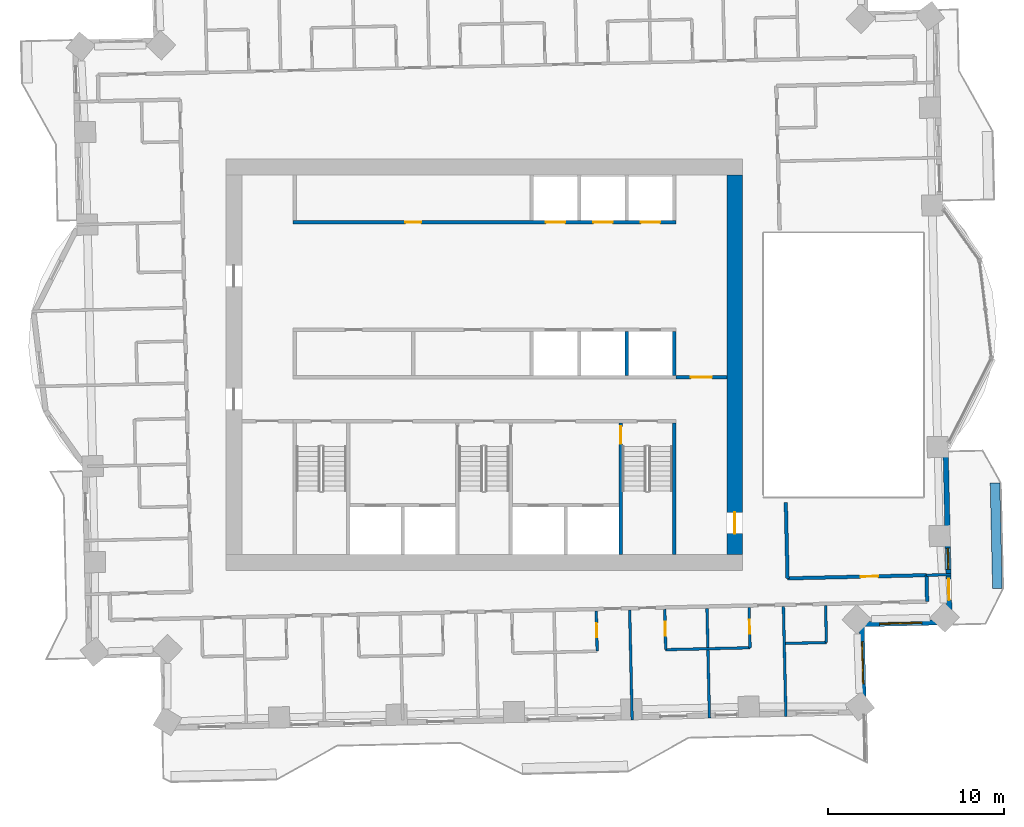
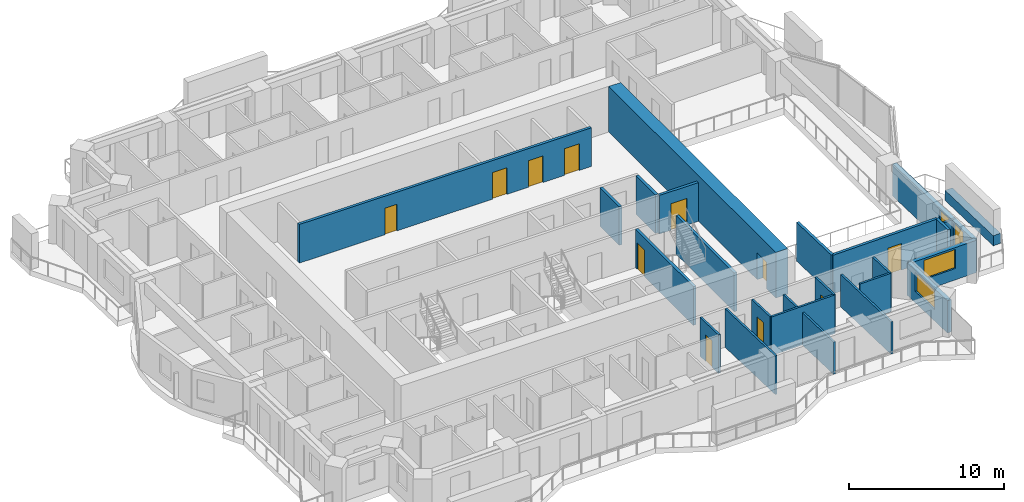
# One storey, part 9 of 16: 24 walls, 12 doors, 3 windows, 15 openings.
"""IFC4 building model written with IfcOpenShell, lengths in metres."""

import ifcopenshell
import ifcopenshell.guid

model = None  # the IFC model being written
_history = None  # IfcOwnerHistory: only IFC2X3 demands one
_inside = {}  # id of a spatial element -> (the spatial element, [elements in it])
_under = {}  # id of a project, library or spatial element -> (it, [spatial elements below it])
_declared = {}  # id of a project -> (the project, [libraries it declares])
_typed = {}  # id of a type object -> (the type object, [elements of that type])
_made_of = {}  # id of a material, layer set ... -> (it, [elements and type objects made of it])


def new_model(schema):
    """Start an empty IFC model of exactly this schema.

    Asked for "IFC4X3", IfcOpenShell would pick the latest addendum, in which some entities
    have other attributes; the version numbers below select the first issue.
    IFC2X3 requires an IfcOwnerHistory on every rooted entity: one is made here for all.
    """
    global model, _history
    if schema == "IFC4X3":
        model = ifcopenshell.file(schema_version=(4, 3, 0, 0))
    else:
        model = ifcopenshell.file(schema=schema)
    _inside.clear()
    _under.clear()
    _declared.clear()
    _typed.clear()
    _made_of.clear()
    _history = None
    if model.schema == "IFC2X3":
        org = make("IfcOrganization", Name="unknown")
        user = make(
            "IfcPersonAndOrganization",
            ThePerson=make("IfcPerson", FamilyName="unknown"),
            TheOrganization=org,
        )
        app = make(
            "IfcApplication",
            ApplicationDeveloper=org,
            Version="unknown",
            ApplicationFullName="unknown",
            ApplicationIdentifier="unknown",
        )
        _history = make(
            "IfcOwnerHistory",
            OwningUser=user,
            OwningApplication=app,
            ChangeAction="ADDED",
            CreationDate=0,
        )
    return model


def make(cls, **values):
    """One entity of the class cls with the attributes given. An attribute that is None is left unset."""
    return model.create_entity(
        cls, **{name: value for name, value in values.items() if value is not None}
    )


def rooted(cls, **values):
    """An entity with a GlobalId (a new one), such as an element, a storey or a relation."""
    return make(cls, GlobalId=ifcopenshell.guid.new(), OwnerHistory=_history, **values)


def si_unit(unit_type, name, prefix=None):
    """IfcSIUnit, for example si_unit("LENGTHUNIT", "METRE", prefix="MILLI")."""
    return make("IfcSIUnit", UnitType=unit_type, Prefix=prefix, Name=name)


def assignment(units):
    """IfcUnitAssignment: the units of a project."""
    return None if units is None else make("IfcUnitAssignment", Units=units)


def point(xyz):
    """IfcCartesianPoint."""
    return None if xyz is None else make("IfcCartesianPoint", Coordinates=xyz)


def direction(xyz):
    """IfcDirection."""
    return None if xyz is None else make("IfcDirection", DirectionRatios=xyz)


def frame(location, z_axis=None, x_axis=None):
    """IfcAxis2Placement3D, a coordinate frame: its origin and axes. An axis left out is left unset."""
    return make(
        "IfcAxis2Placement3D",
        Location=point(location),
        Axis=direction(z_axis),
        RefDirection=direction(x_axis),
    )


def frame_2d(location, x_axis=None):
    """IfcAxis2Placement2D, a coordinate frame in the plane: its origin and x axis."""
    return make(
        "IfcAxis2Placement2D", Location=point(location), RefDirection=direction(x_axis)
    )


def origin():
    """The frame at (0, 0, 0) with its axes left unset."""
    return frame((0.0, 0.0, 0.0))


def place(relative_to, where):
    """IfcLocalPlacement: puts the frame where relative to a parent placement (None: the world)."""
    return make(
        "IfcLocalPlacement", PlacementRelTo=relative_to, RelativePlacement=where
    )


def context(
    kind, dimensions, precision=None, world=None, true_north=None, identifier=None
):
    """IfcGeometricRepresentationContext, for example the 3D "Model" context."""
    return make(
        "IfcGeometricRepresentationContext",
        ContextIdentifier=identifier,
        ContextType=kind,
        CoordinateSpaceDimension=dimensions,
        Precision=precision,
        WorldCoordinateSystem=world,
        TrueNorth=true_north,
    )


def subcontext(parent, identifier, kind, view, scale=None):
    """IfcGeometricRepresentationSubContext, for example "Body" below "Model"."""
    return make(
        "IfcGeometricRepresentationSubContext",
        ContextIdentifier=identifier,
        ContextType=kind,
        ParentContext=parent,
        TargetScale=scale,
        TargetView=view,
    )


def project(units=None, contexts=None):
    """IfcProject with its units and contexts."""
    return rooted(
        "IfcProject",
        Name="project",
        RepresentationContexts=contexts,
        UnitsInContext=assignment(units),
    )


def spatial(cls, under=None, at=None, **own):
    """A site, building, storey or space (cls), placed at a placement, below another one or the project."""
    s = rooted(cls, ObjectPlacement=at, **own)
    if under is not None:
        _under.setdefault(under.id(), (under, []))[1].append(s)
    return s


def profile(cls, at=None, kind="AREA", **sizes):
    """A parametric profile (cls). Its sizes go by their IFC names, for example OverallWidth=200.0."""
    return make(cls, ProfileType=kind, Position=at, **sizes)


def rectangle(**sizes):
    """IfcRectangleProfileDef."""
    return profile("IfcRectangleProfileDef", **sizes)


def extrude(swept, where, along, depth):
    """IfcExtrudedAreaSolid: the profile swept, set in the frame where, extruded along a direction by depth."""
    return make(
        "IfcExtrudedAreaSolid",
        SweptArea=swept,
        Position=where,
        ExtrudedDirection=direction(along),
        Depth=depth,
    )


def shape(context_of_items, identifier, shape_type, items):
    """IfcShapeRepresentation: the items that make up one representation, for example the "Body"."""
    return make(
        "IfcShapeRepresentation",
        ContextOfItems=context_of_items,
        RepresentationIdentifier=identifier,
        RepresentationType=shape_type,
        Items=items,
    )


def material(Name=None, Category=None):
    """IfcMaterial."""
    return make("IfcMaterial", Name=Name, Category=Category)


def layer(
    of_material, thickness, ventilated=None, Name=None, Category=None, Priority=None
):
    """IfcMaterialLayer: one layer of a wall or slab, of a material (None: an air gap)."""
    return make(
        "IfcMaterialLayer",
        Material=of_material,
        LayerThickness=thickness,
        IsVentilated=ventilated,
        Name=Name,
        Category=Category,
        Priority=Priority,
    )


def layer_set(layers, Name=None):
    """IfcMaterialLayerSet."""
    return make("IfcMaterialLayerSet", MaterialLayers=layers, LayerSetName=Name)


def made_of(thing, what):
    """Note that an element or type object is made of a material, layer set ...; save() writes the relation."""
    if what is not None:
        _made_of.setdefault(what.id(), (what, []))[1].append(thing)
    return thing


def type_object(cls, material=None, **own):
    """A type object (cls), such as IfcWallType, which elements share."""
    return made_of(rooted(cls, **own), material)


def element(
    cls,
    number,
    at=None,
    inside=None,
    cuts=None,
    type_object=None,
    material=None,
    context=None,
    identifier="Body",
    shape_type=None,
    held_by="IfcProductDefinitionShape",
    body=None,
    shapes=None,
    **own,
):
    """One element of the class cls, such as IfcWall. Its Tag is "e" and its number.

    at: its placement. inside: the storey or other place that contains it. cuts: it is an
    opening in that element (IfcRelVoidsElement). A single representation is given by context,
    identifier, shape_type and body (its items); several are given by shapes. held_by: the class
    of the entity that holds the representations. save() writes the other relations.
    """
    e = rooted(cls, Tag="e%d" % number, ObjectPlacement=at, **own)
    if body is not None:
        shapes = [shape(context, identifier, shape_type, body)]
    if shapes is not None:
        e.Representation = make(held_by, Representations=shapes)
    if inside is not None:
        _inside.setdefault(inside.id(), (inside, []))[1].append(e)
    if cuts is not None:
        rooted(
            "IfcRelVoidsElement", RelatingBuildingElement=cuts, RelatedOpeningElement=e
        )
    if type_object is not None:
        _typed.setdefault(type_object.id(), (type_object, []))[1].append(e)
    return made_of(e, material)


def fill(opening, filler):
    """IfcRelFillsElement: the door or window that sits in an opening."""
    return rooted(
        "IfcRelFillsElement",
        RelatingOpeningElement=opening,
        RelatedBuildingElement=filler,
    )


def aggregate(whole, parts):
    """IfcRelAggregates: a whole, such as a stair, and the parts it consists of."""
    return rooted("IfcRelAggregates", RelatingObject=whole, RelatedObjects=parts)


def save(model, path):
    """Write the relations noted so far, then the file.

    IfcRelAggregates (storeys below a building ...), IfcRelContainedInSpatialStructure (elements
    in a storey), IfcRelDefinesByType, IfcRelAssociatesMaterial and IfcRelDeclares: one each for
    every whole, place, type object, material and project.
    """
    for whole, parts in _under.values():
        aggregate(whole, parts)
    for where, things in _inside.values():
        rooted(
            "IfcRelContainedInSpatialStructure",
            RelatedElements=things,
            RelatingStructure=where,
        )
    for kind, things in _typed.values():
        rooted("IfcRelDefinesByType", RelatedObjects=things, RelatingType=kind)
    for what, things in _made_of.values():
        rooted("IfcRelAssociatesMaterial", RelatedObjects=things, RelatingMaterial=what)
    for by, libraries in _declared.values():
        rooted("IfcRelDeclares", RelatingContext=by, RelatedDefinitions=libraries)
    model.write(path)


model = new_model("IFC4")

# Units and contexts
model_context = context("Model", 3, precision=1e-05, world=origin(), true_north=direction((0.0, 1.0)))
body_context = subcontext(model_context, "Body", "Model", "MODEL_VIEW")
ifc_project = project(units=[si_unit("LENGTHUNIT", "METRE"), si_unit("AREAUNIT", "SQUARE_METRE"), si_unit("VOLUMEUNIT", "CUBIC_METRE"), si_unit("PLANEANGLEUNIT", "RADIAN"), si_unit("MASSUNIT", "GRAM", prefix="KILO")], contexts=[model_context])

# Site, building, storey
site_placement = place(None, origin())
site = spatial("IfcSite", under=ifc_project, at=site_placement, CompositionType="ELEMENT")
building_placement = place(site_placement, origin())
building = spatial("IfcBuilding", under=site, at=building_placement, Name="Mangrove Gate Tower", CompositionType="ELEMENT")
storey_placement = place(building_placement, frame((0.0, 0.0, 189.699951171875)))
storey = spatial("IfcBuildingStorey", under=building, at=storey_placement, Name="L48", CompositionType="ELEMENT", Elevation=189.699951171875)

# Wall, opening, door
ifc_material_1 = material(Name="Concrete C32/40", Category="concrete")
ifc_layer_1 = layer(ifc_material_1, 0.199951171875)
ifc_layer_set_1 = layer_set([ifc_layer_1], Name="Core lobby wall 200 C32/40")
wall_type_1 = type_object("IfcWallType", Name="Core lobby wall 200 C32/40", PredefinedType="STANDARD", material=ifc_layer_set_1)
wall_1_placement = place(storey_placement, frame((10.89990234375, -0.699951171875, 0.0), z_axis=(0.0, 0.0, 1.0), x_axis=(1.0, 0.0, 0.0)))
wall_1 = element("IfcWall", 1, at=wall_1_placement, inside=storey, type_object=wall_type_1, Name="WALL-L48-CORE-31", PredefinedType="STANDARD", context=body_context, shape_type="SweptSolid", body=[
    extrude(rectangle(XDim=2.900146484375, YDim=0.199951171875, at=frame_2d((1.4501953125, 0.0))), origin(), (0.0, 0.0, 1.0), 3.050048828125),
])
opening_1_placement = place(wall_1_placement, frame((0.85009765625, 0.0, 0.0)))
opening_1 = element("IfcOpeningElement", 2, at=opening_1_placement, cuts=wall_1, Name="Opening FL12", PredefinedType="OPENING", context=body_context, shape_type="SweptSolid", body=[
    extrude(rectangle(XDim=1.199951171875, YDim=2.10009765625, at=frame_2d((0.60009765625, 1.050048828125))), frame((0.0, 0.10986328125, 0.0), z_axis=(0.0, -1.0, 0.0), x_axis=(1.0, 0.0, 0.0)), (0.0, 0.0, 1.0), 0.219970703125),
])
ifc_material_2 = material(Name="Fire-rated steel door set", Category="steel")
door_type_1 = type_object("IfcDoorType", Name="Lobby door FD60 1200x2100", OperationType="SINGLE_SWING_LEFT", PredefinedType="DOOR", material=ifc_material_2)
door_1_placement = place(opening_1_placement, origin())
door_1 = element("IfcDoor", 3, at=door_1_placement, inside=storey, type_object=door_type_1, Name="Lobby door core corridor E partition", OperationType="SINGLE_SWING_LEFT", OverallHeight=2.10009765625, OverallWidth=1.199951171875, PredefinedType="DOOR", context=body_context, shape_type="SweptSolid", body=[
    extrude(rectangle(XDim=1.199951171875, YDim=2.10009765625, at=frame_2d((0.60009765625, 1.050048828125))), frame((0.0, 0.02490234375, 0.0), z_axis=(0.0, -1.0, 0.0), x_axis=(1.0, 0.0, 0.0)), (0.0, 0.0, 1.0), 0.050048828125),
])
fill(opening_1, door_1)

# Wall, openings, doors
ifc_material_3 = material(Name="Concrete C60/75", Category="concrete")
ifc_layer_2 = layer(ifc_material_3, 0.199951171875)
ifc_layer_set_2 = layer_set([ifc_layer_2], Name="Core shaft wall 200 C60/75")
wall_type_2 = type_object("IfcWallType", Name="Core shaft wall 200 C60/75", PredefinedType="SHEAR", material=ifc_layer_set_2)
wall_2_placement = place(storey_placement, frame((-10.89990234375, 8.10009765625, 0.0), z_axis=(0.0, 0.0, 1.0), x_axis=(1.0, 0.0, 0.0)))
wall_2 = element("IfcWall", 4, at=wall_2_placement, inside=storey, type_object=wall_type_2, Name="WALL-L48-CORE-8", PredefinedType="SHEAR", context=body_context, shape_type="SweptSolid", body=[
    extrude(rectangle(XDim=21.7998046875, YDim=0.199951171875, at=frame_2d((10.89990234375, 0.0))), origin(), (0.0, 0.0, 1.0), 3.050048828125),
])
opening_2_placement = place(wall_2_placement, frame((14.39990234375, 0.0, 0.0)))
opening_2 = element("IfcOpeningElement", 5, at=opening_2_placement, cuts=wall_2, Name="Opening LD", PredefinedType="OPENING", context=body_context, shape_type="SweptSolid", body=[
    extrude(rectangle(XDim=1.10009765625, YDim=2.10009765625, at=frame_2d((0.550048828125, 1.050048828125))), frame((0.0, 0.10986328125, 0.0), z_axis=(0.0, -1.0, 0.0), x_axis=(1.0, 0.0, 0.0)), (0.0, 0.0, 1.0), 0.219970703125),
])
opening_3_placement = place(wall_2_placement, frame((17.10009765625, 0.0, 0.0)))
opening_3 = element("IfcOpeningElement", 6, at=opening_3_placement, cuts=wall_2, Name="Opening LD", PredefinedType="OPENING", context=body_context, shape_type="SweptSolid", body=[
    extrude(rectangle(XDim=1.10009765625, YDim=2.10009765625, at=frame_2d((0.550048828125, 1.050048828125))), frame((0.0, 0.10986328125, 0.0), z_axis=(0.0, -1.0, 0.0), x_axis=(1.0, 0.0, 0.0)), (0.0, 0.0, 1.0), 0.219970703125),
])
opening_4_placement = place(wall_2_placement, frame((19.800048828125, 0.0, 0.0)))
opening_4 = element("IfcOpeningElement", 7, at=opening_4_placement, cuts=wall_2, Name="Opening LD", PredefinedType="OPENING", context=body_context, shape_type="SweptSolid", body=[
    extrude(rectangle(XDim=1.10009765625, YDim=2.10009765625, at=frame_2d((0.550048828125, 1.050048828125))), frame((0.0, 0.10986328125, 0.0), z_axis=(0.0, -1.0, 0.0), x_axis=(1.0, 0.0, 0.0)), (0.0, 0.0, 1.0), 0.219970703125),
])
opening_5_placement = place(wall_2_placement, frame((6.39990234375, 0.0, 0.0)))
opening_5 = element("IfcOpeningElement", 8, at=opening_5_placement, cuts=wall_2, Name="Opening RD", PredefinedType="OPENING", context=body_context, shape_type="SweptSolid", body=[
    extrude(rectangle(XDim=0.89990234375, YDim=2.10009765625, at=frame_2d((0.449951171875, 1.050048828125))), frame((0.0, 0.10986328125, 0.0), z_axis=(0.0, -1.0, 0.0), x_axis=(1.0, 0.0, 0.0)), (0.0, 0.0, 1.0), 0.219970703125),
])
ifc_material_4 = material(Name="Stainless steel 316", Category="steel")
door_type_2 = type_object("IfcDoorType", Name="Lift landing door 1100x2100", OperationType="SLIDING_TO_LEFT", PredefinedType="DOOR", material=ifc_material_4)
door_2_placement = place(opening_2_placement, origin())
door_2 = element("IfcDoor", 9, at=door_2_placement, inside=storey, type_object=door_type_2, Name="Landing door LD M04", OperationType="SLIDING_TO_LEFT", OverallHeight=2.10009765625, OverallWidth=1.10009765625, PredefinedType="DOOR", context=body_context, shape_type="SweptSolid", body=[
    extrude(rectangle(XDim=1.10009765625, YDim=2.10009765625, at=frame_2d((0.550048828125, 1.050048828125))), frame((0.0, 0.02490234375, 0.0), z_axis=(0.0, -1.0, 0.0), x_axis=(1.0, 0.0, 0.0)), (0.0, 0.0, 1.0), 0.050048828125),
])
fill(opening_2, door_2)
door_3_placement = place(opening_3_placement, origin())
door_3 = element("IfcDoor", 10, at=door_3_placement, inside=storey, type_object=door_type_2, Name="Landing door LD M05", OperationType="SLIDING_TO_LEFT", OverallHeight=2.10009765625, OverallWidth=1.10009765625, PredefinedType="DOOR", context=body_context, shape_type="SweptSolid", body=[
    extrude(rectangle(XDim=1.10009765625, YDim=2.10009765625, at=frame_2d((0.550048828125, 1.050048828125))), frame((0.0, 0.02490234375, 0.0), z_axis=(0.0, -1.0, 0.0), x_axis=(1.0, 0.0, 0.0)), (0.0, 0.0, 1.0), 0.050048828125),
])
fill(opening_3, door_3)
door_4_placement = place(opening_4_placement, origin())
door_4 = element("IfcDoor", 11, at=door_4_placement, inside=storey, type_object=door_type_2, Name="Landing door LD M06", OperationType="SLIDING_TO_LEFT", OverallHeight=2.10009765625, OverallWidth=1.10009765625, PredefinedType="DOOR", context=body_context, shape_type="SweptSolid", body=[
    extrude(rectangle(XDim=1.10009765625, YDim=2.10009765625, at=frame_2d((0.550048828125, 1.050048828125))), frame((0.0, 0.02490234375, 0.0), z_axis=(0.0, -1.0, 0.0), x_axis=(1.0, 0.0, 0.0)), (0.0, 0.0, 1.0), 0.050048828125),
])
fill(opening_4, door_4)
ifc_material_5 = material(Name="Fire-rated steel door set", Category="steel")
door_type_3 = type_object("IfcDoorType", Name="Riser door FD30S 900x2100", OperationType="SINGLE_SWING_LEFT", PredefinedType="DOOR", material=ifc_material_5)
door_5_placement = place(opening_5_placement, origin())
door_5 = element("IfcDoor", 12, at=door_5_placement, inside=storey, type_object=door_type_3, Name="Riser door Comms room", OperationType="SINGLE_SWING_LEFT", OverallHeight=2.10009765625, OverallWidth=0.89990234375, PredefinedType="DOOR", context=body_context, shape_type="SweptSolid", body=[
    extrude(rectangle(XDim=0.89990234375, YDim=2.10009765625, at=frame_2d((0.449951171875, 1.050048828125))), frame((0.0, 0.02490234375, 0.0), z_axis=(0.0, -1.0, 0.0), x_axis=(1.0, 0.0, 0.0)), (0.0, 0.0, 1.0), 0.050048828125),
])
fill(opening_5, door_5)

# Walls
for number, where, z_axis, x_axis, name in (
    (13, (8.10009765625, -0.60009765625, 0.0), (0.0, 0.0, 1.0), (0.0, 1.0, 0.0), "WALL-L48-CORE-23"),
    (14, (10.800048828125, -0.60009765625, 0.0), (0.0, 0.0, 1.0), (0.0, 1.0, 0.0), "WALL-L48-CORE-24"),
):
    element("IfcWall", number, at=place(storey_placement, frame(where, z_axis=z_axis, x_axis=x_axis)), inside=storey, type_object=wall_type_2, Name=name, PredefinedType="SHEAR", context=body_context, shape_type="SweptSolid", body=[
        extrude(rectangle(XDim=2.5, YDim=0.199951171875, at=frame_2d((1.25, 0.0))), origin(), (0.0, 0.0, 1.0), 3.050048828125),
    ])

# Wall, opening, door
ifc_material_6 = material(Name="Concrete C60/75", Category="concrete")
ifc_layer_3 = layer(ifc_material_6, 0.199951171875)
ifc_layer_set_3 = layer_set([ifc_layer_3], Name="Core stair wall 200 C60/75")
wall_type_3 = type_object("IfcWallType", Name="Core stair wall 200 C60/75", PredefinedType="SHEAR", material=ifc_layer_set_3)
wall_3_placement = place(storey_placement, frame((7.75, -10.800048828125, 0.0), z_axis=(0.0, 0.0, 1.0), x_axis=(0.0, 1.0, 0.0)))
wall_3 = element("IfcWall", 15, at=wall_3_placement, inside=storey, type_object=wall_type_3, Name="WALL-L48-CORE-13", PredefinedType="SHEAR", context=body_context, shape_type="SweptSolid", body=[
    extrude(rectangle(XDim=7.5, YDim=0.199951171875, at=frame_2d((3.75, 0.0))), origin(), (0.0, 0.0, 1.0), 3.050048828125),
])
opening_6_placement = place(wall_3_placement, frame((6.300048828125, 0.0, 0.0)))
opening_6 = element("IfcOpeningElement", 16, at=opening_6_placement, cuts=wall_3, Name="Opening STD10", PredefinedType="OPENING", context=body_context, shape_type="SweptSolid", body=[
    extrude(rectangle(XDim=1.0, YDim=2.10009765625, at=frame_2d((0.5, 1.050048828125))), frame((0.0, 0.10986328125, 0.0), z_axis=(0.0, -1.0, 0.0), x_axis=(1.0, 0.0, 0.0)), (0.0, 0.0, 1.0), 0.219970703125),
])
ifc_material_7 = material(Name="Fire-rated steel door set", Category="steel")
door_type_4 = type_object("IfcDoorType", Name="Stair door FD60 1000x2100", OperationType="SINGLE_SWING_RIGHT", PredefinedType="DOOR", material=ifc_material_7)
door_6_placement = place(opening_6_placement, origin())
door_6 = element("IfcDoor", 17, at=door_6_placement, inside=storey, type_object=door_type_4, Name="Stair door Stair 3 from fire-fighting lobby", OperationType="SINGLE_SWING_RIGHT", OverallHeight=2.10009765625, OverallWidth=1.0, PredefinedType="DOOR", context=body_context, shape_type="SweptSolid", body=[
    extrude(rectangle(XDim=1.0, YDim=2.10009765625, at=frame_2d((0.5, 1.050048828125))), frame((0.0, 0.02490234375, 0.0), z_axis=(0.0, -1.0, 0.0), x_axis=(1.0, 0.0, 0.0)), (0.0, 0.0, 1.0), 0.050048828125),
])
fill(opening_6, door_6)

# Wall
wall_4_placement = place(storey_placement, frame((10.800048828125, -10.800048828125, 0.0), z_axis=(0.0, 0.0, 1.0), x_axis=(0.0, 1.0, 0.0)))
element("IfcWall", 18, at=wall_4_placement, inside=storey, type_object=wall_type_3, Name="WALL-L48-CORE-14", PredefinedType="SHEAR", context=body_context, shape_type="SweptSolid", body=[
    extrude(rectangle(XDim=7.5, YDim=0.199951171875, at=frame_2d((3.75, 0.0))), origin(), (0.0, 0.0, 1.0), 3.050048828125),
])

# Wall, opening, door
ifc_material_8 = material(Name="Concrete C60/75", Category="concrete")
ifc_layer_4 = layer(ifc_material_8, 0.89990234375)
ifc_layer_set_4 = layer_set([ifc_layer_4], Name="Core wall 900 C60/75")
wall_type_4 = type_object("IfcWallType", Name="Core wall 900 C60/75", PredefinedType="SHEAR", material=ifc_layer_set_4)
wall_5_placement = place(storey_placement, frame((14.25, -10.800048828125, 0.0), z_axis=(0.0, 0.0, 1.0), x_axis=(0.0, 1.0, 0.0)))
wall_5 = element("IfcWall", 19, at=wall_5_placement, inside=storey, type_object=wall_type_4, Name="WALL-L48-CORE-4", PredefinedType="SHEAR", context=body_context, shape_type="SweptSolid", body=[
    extrude(rectangle(XDim=21.60009765625, YDim=0.89990234375, at=frame_2d((10.800048828125, 0.0))), origin(), (0.0, 0.0, 1.0), 3.60009765625),
])
opening_7_placement = place(wall_5_placement, frame((1.199951171875, 0.0, 0.0)))
opening_7 = element("IfcOpeningElement", 20, at=opening_7_placement, cuts=wall_5, Name="Opening CD", PredefinedType="OPENING", context=body_context, shape_type="SweptSolid", body=[
    extrude(rectangle(XDim=1.199951171875, YDim=2.10009765625, at=frame_2d((0.60009765625, 1.050048828125))), frame((0.0, 0.4599609375, 0.0), z_axis=(0.0, -1.0, 0.0), x_axis=(1.0, 0.0, 0.0)), (0.0, 0.0, 1.0), 0.919921875),
])
ifc_material_9 = material(Name="Fire-rated steel door set", Category="steel")
door_type_5 = type_object("IfcDoorType", Name="Core ring door FD60 1200x2100", OperationType="DOUBLE_DOOR_SINGLE_SWING", PredefinedType="DOOR", material=ifc_material_9)
door_7_placement = place(opening_7_placement, origin())
door_7 = element("IfcDoor", 21, at=door_7_placement, inside=storey, type_object=door_type_5, Name="Core ring door E1", OperationType="DOUBLE_DOOR_SINGLE_SWING", OverallHeight=2.10009765625, OverallWidth=1.199951171875, PredefinedType="DOOR", context=body_context, shape_type="SweptSolid", body=[
    extrude(rectangle(XDim=1.199951171875, YDim=2.10009765625, at=frame_2d((0.60009765625, 1.050048828125))), frame((0.0, 0.02490234375, 0.0), z_axis=(0.0, -1.0, 0.0), x_axis=(1.0, 0.0, 0.0)), (0.0, 0.0, 1.0), 0.050048828125),
])
fill(opening_7, door_7)

# Walls
ifc_material_10 = material(Name="Gypsum board on steel stud, EI 60", Category="steel")
ifc_layer_5 = layer(ifc_material_10, 0.199951171875)
ifc_layer_set_5 = layer_set([ifc_layer_5], Name="Corridor wall EI 60")
wall_type_5 = type_object("IfcWallType", Name="Corridor wall EI 60", PredefinedType="PARTITIONING", material=ifc_layer_set_5)
wall_6_placement = place(storey_placement, frame((25.18896484375, -13.468994140625, 0.0), z_axis=(0.0, 0.0, 1.0), x_axis=(-0.022617910375, 0.999744182344, 0.0)))
element("IfcWall", 22, at=wall_6_placement, inside=storey, type_object=wall_type_5, Name="WALL-L48-026", PredefinedType="PARTITIONING", context=body_context, shape_type="SweptSolid", body=[
    extrude(rectangle(XDim=1.50048828125, YDim=0.199951171875, at=frame_2d((0.750244140625, 0.0))), origin(), (0.0, 0.0, 1.0), 3.050048828125),
])
wall_7_placement = place(storey_placement, frame((17.2470703125, -12.14892578125, 0.0), z_axis=(0.0, 0.0, 1.0), x_axis=(-0.022729111383, 0.999741660378, 0.0)))
element("IfcWall", 23, at=wall_7_placement, inside=storey, type_object=wall_type_5, Name="WALL-L48-030", PredefinedType="PARTITIONING", context=body_context, shape_type="SweptSolid", body=[
    extrude(rectangle(XDim=4.318115234375, YDim=0.199951171875, at=frame_2d((2.1591796875, 0.0))), origin(), (0.0, 0.0, 1.0), 3.050048828125),
])

# Wall, opening, door
wall_8_placement = place(storey_placement, frame((17.248046875, -12.14892578125, 0.0), z_axis=(0.0, 0.0, 1.0), x_axis=(0.999741181744, 0.022750154412, 0.0)))
wall_8 = element("IfcWall", 24, at=wall_8_placement, inside=storey, type_object=wall_type_5, Name="WALL-L48-031", PredefinedType="PARTITIONING", context=body_context, shape_type="SweptSolid", body=[
    extrude(rectangle(XDim=7.908935546875, YDim=0.199951171875, at=frame_2d((3.95458984375, 0.0))), origin(), (0.0, 0.0, 1.0), 3.050048828125),
])
opening_8_placement = place(wall_8_placement, frame((4.155029296875, 0.0, 0.0)))
opening_8 = element("IfcOpeningElement", 25, at=opening_8_placement, cuts=wall_8, Name="Opening AD", PredefinedType="OPENING", context=body_context, shape_type="SweptSolid", body=[
    extrude(rectangle(XDim=1.0, YDim=2.10009765625, at=frame_2d((0.5, 1.050048828125))), frame((0.0, 0.10986328125, 0.0), z_axis=(0.0, -1.0, 0.0), x_axis=(1.0, 0.0, 0.0)), (0.0, 0.0, 1.0), 0.219970703125),
])
ifc_material_11 = material(Name="Timber door leaf", Category="wood")
door_type_6 = type_object("IfcDoorType", Name="Amenity door 1000", OperationType="SINGLE_SWING_LEFT", PredefinedType="DOOR", material=ifc_material_11)
door_8_placement = place(opening_8_placement, origin())
door_8 = element("IfcDoor", 26, at=door_8_placement, inside=storey, type_object=door_type_6, Name="DOOR-L48-KIT-c3b", OperationType="SINGLE_SWING_LEFT", OverallHeight=2.10009765625, OverallWidth=1.0, PredefinedType="DOOR", context=body_context, shape_type="SweptSolid", body=[
    extrude(rectangle(XDim=1.0, YDim=2.10009765625, at=frame_2d((0.5, 1.050048828125))), frame((0.0, 0.02490234375, 0.0), z_axis=(0.0, -1.0, 0.0), x_axis=(1.0, 0.0, 0.0)), (0.0, 0.0, 1.0), 0.050048828125),
])
fill(opening_8, door_8)

# Wall, openings, door, window
ifc_material_12 = material(Name="Limestone", Category="masonry")
ifc_layer_6 = layer(ifc_material_12, 0.0400390625, Name="Limestone cladding")
ifc_material_13 = material(Name="Ventilated air gap")
ifc_layer_7 = layer(ifc_material_13, 0.0400390625, Name="Ventilated cavity")
ifc_material_14 = material(Name="Mineral wool insulation")
ifc_layer_8 = layer(ifc_material_14, 0.06005859375, Name="Insulation")
ifc_material_15 = material(Name="Breather membrane")
ifc_layer_9 = layer(ifc_material_15, 0.001953125, Name="Breather membrane")
ifc_material_16 = material(Name="Concrete C20/25 blockwork", Category="masonry")
ifc_layer_10 = layer(ifc_material_16, 0.14990234375, Name="Blockwork backing wall")
ifc_material_17 = material(Name="Gypsum plaster")
ifc_layer_11 = layer(ifc_material_17, 0.008056640625, Name="Internal plaster")
ifc_layer_set_6 = layer_set([ifc_layer_6, ifc_layer_7, ifc_layer_8, ifc_layer_9, ifc_layer_10, ifc_layer_11], Name="External wall 300 limestone cladding")
wall_type_6 = type_object("IfcWallType", Name="External wall 300 limestone cladding", PredefinedType="SOLIDWALL", material=ifc_layer_set_6)
wall_9_placement = place(storey_placement, frame((26.466064453125, -14.639892578125, 0.0), z_axis=(0.0, 0.0, 1.0), x_axis=(-0.022735782058, 0.999741508698, 0.0)))
wall_9 = element("IfcWall", 27, at=wall_9_placement, inside=storey, type_object=wall_type_6, Name="WALL-L48-E0", PredefinedType="SOLIDWALL", context=body_context, shape_type="SweptSolid", body=[
    extrude(rectangle(XDim=10.029541015625, YDim=0.300048828125, at=frame_2d((5.0146484375, 0.0))), origin(), (0.0, 0.0, 1.0), 2.550048828125),
])
opening_9_placement = place(wall_9_placement, frame((1.260009765625, 0.0, 0.0)))
opening_9 = element("IfcOpeningElement", 28, at=opening_9_placement, cuts=wall_9, Name="Opening BD2", PredefinedType="OPENING", context=body_context, shape_type="SweptSolid", body=[
    extrude(rectangle(XDim=1.199951171875, YDim=2.39990234375, at=frame_2d((0.60009765625, 1.199951171875))), frame((0.0, 0.159912109375, 0.0), z_axis=(0.0, -1.0, 0.0), x_axis=(1.0, 0.0, 0.0)), (0.0, 0.0, 1.0), 0.320068359375),
])
opening_10_placement = place(wall_9_placement, frame((3.006103515625, 0.0, 0.89990234375)))
opening_10 = element("IfcOpeningElement", 29, at=opening_10_placement, cuts=wall_9, Name="Opening W1", PredefinedType="OPENING", context=body_context, shape_type="SweptSolid", body=[
    extrude(rectangle(XDim=1.199951171875, YDim=1.5, at=frame_2d((0.60009765625, 0.75))), frame((0.0, 0.159912109375, 0.0), z_axis=(0.0, -1.0, 0.0), x_axis=(1.0, 0.0, 0.0)), (0.0, 0.0, 1.0), 0.320068359375),
])
ifc_material_18 = material(Name="Aluminium frame with laminated clear glass", Category="aluminium")
door_type_7 = type_object("IfcDoorType", Name="Balcony sliding door 1200x2400", OperationType="SLIDING_TO_LEFT", PredefinedType="DOOR", material=ifc_material_18)
door_9_placement = place(opening_9_placement, origin())
door_9 = element("IfcDoor", 30, at=door_9_placement, inside=storey, type_object=door_type_7, Name="DOOR-L48-E0-1", OperationType="SLIDING_TO_LEFT", OverallHeight=2.39990234375, OverallWidth=1.199951171875, PredefinedType="DOOR", context=body_context, shape_type="SweptSolid", body=[
    extrude(rectangle(XDim=1.199951171875, YDim=2.39990234375, at=frame_2d((0.60009765625, 1.199951171875))), frame((0.0, 0.02490234375, 0.0), z_axis=(0.0, -1.0, 0.0), x_axis=(1.0, 0.0, 0.0)), (0.0, 0.0, 1.0), 0.050048828125),
])
fill(opening_9, door_9)
ifc_material_19 = material(Name="Aluminium frame with double-glazed low-e glass", Category="aluminium")
window_type_1 = type_object("IfcWindowType", Name="Side lite 1200x1500", PartitioningType="SINGLE_PANEL", PredefinedType="WINDOW", material=ifc_material_19)
window_1_placement = place(opening_10_placement, origin())
window_1 = element("IfcWindow", 31, at=window_1_placement, inside=storey, type_object=window_type_1, Name="WIN-L48-E0-2", OverallHeight=1.5, OverallWidth=1.199951171875, PartitioningType="SINGLE_PANEL", PredefinedType="WINDOW", context=body_context, shape_type="SweptSolid", body=[
    extrude(rectangle(XDim=1.199951171875, YDim=1.5, at=frame_2d((0.60009765625, 0.75))), frame((0.0, 0.030029296875, 0.0), z_axis=(0.0, -1.0, 0.0), x_axis=(1.0, 0.0, 0.0)), (0.0, 0.0, 1.0), 0.06005859375),
])
fill(opening_10, window_1)

# Wall, opening, window
wall_10_placement = place(storey_placement, frame((21.5810546875, -19.751953125, 0.0), z_axis=(0.0, 0.0, 1.0), x_axis=(-0.022801259434, 0.999740017489, 0.0)))
wall_10 = element("IfcWall", 32, at=wall_10_placement, inside=storey, type_object=wall_type_6, Name="WALL-L48-E14", PredefinedType="SOLIDWALL", context=body_context, shape_type="SweptSolid", body=[
    extrude(rectangle(XDim=5.000244140625, YDim=0.300048828125, at=frame_2d((2.5, 0.0))), origin(), (0.0, 0.0, 1.0), 2.550048828125),
])
opening_11_placement = place(wall_10_placement, frame((1.597900390625, 0.0, 0.89990234375)))
opening_11 = element("IfcOpeningElement", 33, at=opening_11_placement, cuts=wall_10, Name="Opening W2", PredefinedType="OPENING", context=body_context, shape_type="SweptSolid", body=[
    extrude(rectangle(XDim=2.39990234375, YDim=1.5, at=frame_2d((1.199951171875, 0.75))), frame((0.0, 0.159912109375, 0.0), z_axis=(0.0, -1.0, 0.0), x_axis=(1.0, 0.0, 0.0)), (0.0, 0.0, 1.0), 0.320068359375),
])
ifc_material_20 = material(Name="Aluminium frame with double-glazed low-e glass", Category="aluminium")
window_type_2 = type_object("IfcWindowType", Name="Corner room window 2400x1500", PartitioningType="DOUBLE_PANEL_VERTICAL", PredefinedType="WINDOW", material=ifc_material_20)
window_2_placement = place(opening_11_placement, origin())
window_2 = element("IfcWindow", 34, at=window_2_placement, inside=storey, type_object=window_type_2, Name="WIN-L48-E14-1", OverallHeight=1.5, OverallWidth=2.39990234375, PartitioningType="DOUBLE_PANEL_VERTICAL", PredefinedType="WINDOW", context=body_context, shape_type="SweptSolid", body=[
    extrude(rectangle(XDim=2.39990234375, YDim=1.5, at=frame_2d((1.199951171875, 0.75))), frame((0.0, 0.030029296875, 0.0), z_axis=(0.0, -1.0, 0.0), x_axis=(1.0, 0.0, 0.0)), (0.0, 0.0, 1.0), 0.06005859375),
])
fill(opening_11, window_2)

wall_11_placement = place(storey_placement, frame((21.467041015625, -14.7529296875, 0.0), z_axis=(0.0, 0.0, 1.0), x_axis=(0.999744450377, 0.022606059803, 0.0)))
wall_11 = element("IfcWall", 35, at=wall_11_placement, inside=storey, type_object=wall_type_6, Name="WALL-L48-S15", PredefinedType="SOLIDWALL", context=body_context, shape_type="SweptSolid", body=[
    extrude(rectangle(XDim=5.000244140625, YDim=0.300048828125, at=frame_2d((2.5, 0.0))), origin(), (0.0, 0.0, 1.0), 2.550048828125),
])
opening_12_placement = place(wall_11_placement, frame((1.02392578125, 0.0, 0.89990234375)))
opening_12 = element("IfcOpeningElement", 36, at=opening_12_placement, cuts=wall_11, Name="Opening W2", PredefinedType="OPENING", context=body_context, shape_type="SweptSolid", body=[
    extrude(rectangle(XDim=2.39990234375, YDim=1.5, at=frame_2d((1.199951171875, 0.75))), frame((0.0, 0.159912109375, 0.0), z_axis=(0.0, -1.0, 0.0), x_axis=(1.0, 0.0, 0.0)), (0.0, 0.0, 1.0), 0.320068359375),
])
window_3_placement = place(opening_12_placement, origin())
window_3 = element("IfcWindow", 37, at=window_3_placement, inside=storey, type_object=window_type_2, Name="WIN-L48-S15-1", OverallHeight=1.5, OverallWidth=2.39990234375, PartitioningType="DOUBLE_PANEL_VERTICAL", PredefinedType="WINDOW", context=body_context, shape_type="SweptSolid", body=[
    extrude(rectangle(XDim=2.39990234375, YDim=1.5, at=frame_2d((1.199951171875, 0.75))), frame((0.0, 0.030029296875, 0.0), z_axis=(0.0, -1.0, 0.0), x_axis=(1.0, 0.0, 0.0)), (0.0, 0.0, 1.0), 0.06005859375),
])
fill(opening_12, window_3)

# Walls
ifc_material_21 = material(Name="Gypsum board on steel stud, EI 60", Category="steel")
ifc_layer_12 = layer(ifc_material_21, 0.14990234375)
ifc_layer_set_7 = layer_set([ifc_layer_12], Name="Party wall 150 EI 60")
wall_type_7 = type_object("IfcWallType", Name="Party wall 150 EI 60", PredefinedType="PARTITIONING", material=ifc_layer_set_7)
wall_12_placement = place(storey_placement, frame((8.406982421875, -20.200927734375, 0.0), z_axis=(0.0, 0.0, 1.0), x_axis=(-0.022540379945, 0.999745933361, 0.0)))
element("IfcWall", 38, at=wall_12_placement, inside=storey, type_object=wall_type_7, Name="WALL-L48-006", PredefinedType="PARTITIONING", context=body_context, shape_type="SweptSolid", body=[
    extrude(rectangle(XDim=6.249755859375, YDim=0.14990234375, at=frame_2d((3.125, 0.0))), origin(), (0.0, 0.0, 1.0), 3.050048828125),
])
wall_13_placement = place(storey_placement, frame((12.805908203125, -20.10107421875, 0.0), z_axis=(0.0, 0.0, 1.0), x_axis=(-0.022540379945, 0.999745933361, 0.0)))
element("IfcWall", 39, at=wall_13_placement, inside=storey, type_object=wall_type_7, Name="WALL-L48-007", PredefinedType="PARTITIONING", context=body_context, shape_type="SweptSolid", body=[
    extrude(rectangle(XDim=6.249755859375, YDim=0.14990234375, at=frame_2d((3.125, 0.0))), origin(), (0.0, 0.0, 1.0), 2.550048828125),
])
wall_14_placement = place(storey_placement, frame((17.155029296875, -20.0029296875, 0.0), z_axis=(0.0, 0.0, 1.0), x_axis=(-0.022732052173, 0.999741593515, 0.0)))
element("IfcWall", 40, at=wall_14_placement, inside=storey, type_object=wall_type_7, Name="WALL-L48-008", PredefinedType="PARTITIONING", context=body_context, shape_type="SweptSolid", body=[
    extrude(rectangle(XDim=6.250732421875, YDim=0.14990234375, at=frame_2d((3.12548828125, 0.0))), origin(), (0.0, 0.0, 1.0), 2.550048828125),
])

# Wall, opening, door
wall_15_placement = place(storey_placement, frame((6.41796875, -16.294921875, 0.0), z_axis=(0.0, 0.0, 1.0), x_axis=(-0.022615284993, 0.999744241736, 0.0)))
wall_15 = element("IfcWall", 41, at=wall_15_placement, inside=storey, type_object=wall_type_7, Name="WALL-L48-016", PredefinedType="PARTITIONING", context=body_context, shape_type="SweptSolid", body=[
    extrude(rectangle(XDim=2.29931640625, YDim=0.14990234375, at=frame_2d((1.149658203125, 0.0))), origin(), (0.0, 0.0, 1.0), 3.050048828125),
])
opening_13_placement = place(wall_15_placement, frame((0.800048828125, 0.0, 0.0)))
opening_13 = element("IfcOpeningElement", 42, at=opening_13_placement, cuts=wall_15, Name="Opening ED", PredefinedType="OPENING", context=body_context, shape_type="SweptSolid", body=[
    extrude(rectangle(XDim=0.800048828125, YDim=2.10009765625, at=frame_2d((0.39990234375, 1.050048828125))), frame((0.0, 0.0849609375, 0.0), z_axis=(0.0, -1.0, 0.0), x_axis=(1.0, 0.0, 0.0)), (0.0, 0.0, 1.0), 0.169921875),
])
ifc_material_22 = material(Name="Timber door leaf", Category="wood")
door_type_8 = type_object("IfcDoorType", Name="En-suite door 800", OperationType="SINGLE_SWING_LEFT", PredefinedType="DOOR", material=ifc_material_22)
door_10_placement = place(opening_13_placement, origin())
door_10 = element("IfcDoor", 43, at=door_10_placement, inside=storey, type_object=door_type_8, Name="DOOR-L48-ENS-c205", OperationType="SINGLE_SWING_LEFT", OverallHeight=2.10009765625, OverallWidth=0.800048828125, PredefinedType="DOOR", context=body_context, shape_type="SweptSolid", body=[
    extrude(rectangle(XDim=0.800048828125, YDim=2.10009765625, at=frame_2d((0.39990234375, 1.050048828125))), frame((0.0, 0.02490234375, 0.0), z_axis=(0.0, -1.0, 0.0), x_axis=(1.0, 0.0, 0.0)), (0.0, 0.0, 1.0), 0.050048828125),
])
fill(opening_13, door_10)

# Wall
wall_16_placement = place(storey_placement, frame((10.31689453125, -16.20703125, 0.0), z_axis=(0.0, 0.0, 1.0), x_axis=(0.99974154664, 0.022734113616, 0.0)))
element("IfcWall", 44, at=wall_16_placement, inside=storey, type_object=wall_type_7, Name="WALL-L48-017", PredefinedType="PARTITIONING", context=body_context, shape_type="SweptSolid", body=[
    extrude(rectangle(XDim=4.80029296875, YDim=0.14990234375, at=frame_2d((2.400146484375, 0.0))), origin(), (0.0, 0.0, 1.0), 3.050048828125),
])

# Wall, opening, door
wall_17_placement = place(storey_placement, frame((10.31689453125, -16.20703125, 0.0), z_axis=(0.0, 0.0, 1.0), x_axis=(-0.022603288534, 0.999744513037, 0.0)))
wall_17 = element("IfcWall", 45, at=wall_17_placement, inside=storey, type_object=wall_type_7, Name="WALL-L48-018", PredefinedType="PARTITIONING", context=body_context, shape_type="SweptSolid", body=[
    extrude(rectangle(XDim=2.300537109375, YDim=0.14990234375, at=frame_2d((1.150390625, 0.0))), origin(), (0.0, 0.0, 1.0), 3.050048828125),
])
opening_14_placement = place(wall_17_placement, frame((0.800048828125, 0.0, 0.0)))
opening_14 = element("IfcOpeningElement", 46, at=opening_14_placement, cuts=wall_17, Name="Opening ED", PredefinedType="OPENING", context=body_context, shape_type="SweptSolid", body=[
    extrude(rectangle(XDim=0.800048828125, YDim=2.10009765625, at=frame_2d((0.39990234375, 1.050048828125))), frame((0.0, 0.0849609375, 0.0), z_axis=(0.0, -1.0, 0.0), x_axis=(1.0, 0.0, 0.0)), (0.0, 0.0, 1.0), 0.169921875),
])
door_11_placement = place(opening_14_placement, origin())
door_11 = element("IfcDoor", 47, at=door_11_placement, inside=storey, type_object=door_type_8, Name="DOOR-L48-ENS-c206", OperationType="SINGLE_SWING_RIGHT", OverallHeight=2.10009765625, OverallWidth=0.800048828125, PredefinedType="DOOR", context=body_context, shape_type="SweptSolid", body=[
    extrude(rectangle(XDim=0.800048828125, YDim=2.10009765625, at=frame_2d((0.39990234375, 1.050048828125))), frame((0.0, 0.02490234375, 0.0), z_axis=(0.0, -1.0, 0.0), x_axis=(1.0, 0.0, 0.0)), (0.0, 0.0, 1.0), 0.050048828125),
])
fill(opening_14, door_11)

wall_18_placement = place(storey_placement, frame((15.115966796875, -16.097900390625, 0.0), z_axis=(0.0, 0.0, 1.0), x_axis=(-0.022615284993, 0.999744241736, 0.0)))
wall_18 = element("IfcWall", 48, at=wall_18_placement, inside=storey, type_object=wall_type_7, Name="WALL-L48-019", PredefinedType="PARTITIONING", context=body_context, shape_type="SweptSolid", body=[
    extrude(rectangle(XDim=2.29931640625, YDim=0.14990234375, at=frame_2d((1.149658203125, 0.0))), origin(), (0.0, 0.0, 1.0), 3.050048828125),
])
opening_15_placement = place(wall_18_placement, frame((0.800048828125, 0.0, 0.0)))
opening_15 = element("IfcOpeningElement", 49, at=opening_15_placement, cuts=wall_18, Name="Opening ED", PredefinedType="OPENING", context=body_context, shape_type="SweptSolid", body=[
    extrude(rectangle(XDim=0.800048828125, YDim=2.10009765625, at=frame_2d((0.39990234375, 1.050048828125))), frame((0.0, 0.0849609375, 0.0), z_axis=(0.0, -1.0, 0.0), x_axis=(1.0, 0.0, 0.0)), (0.0, 0.0, 1.0), 0.169921875),
])
door_12_placement = place(opening_15_placement, origin())
door_12 = element("IfcDoor", 50, at=door_12_placement, inside=storey, type_object=door_type_8, Name="DOOR-L48-ENS-c307", OperationType="SINGLE_SWING_LEFT", OverallHeight=2.10009765625, OverallWidth=0.800048828125, PredefinedType="DOOR", context=body_context, shape_type="SweptSolid", body=[
    extrude(rectangle(XDim=0.800048828125, YDim=2.10009765625, at=frame_2d((0.39990234375, 1.050048828125))), frame((0.0, 0.02490234375, 0.0), z_axis=(0.0, -1.0, 0.0), x_axis=(1.0, 0.0, 0.0)), (0.0, 0.0, 1.0), 0.050048828125),
])
fill(opening_15, door_12)

# Walls
wall_19_placement = place(storey_placement, frame((17.135986328125, -15.85205078125, 0.0), z_axis=(0.0, 0.0, 1.0), x_axis=(0.999740260747, 0.02279059109, 0.0)))
element("IfcWall", 51, at=wall_19_placement, inside=storey, type_object=wall_type_7, Name="WALL-L48-022", PredefinedType="PARTITIONING", context=body_context, shape_type="SweptSolid", body=[
    extrude(rectangle(XDim=2.324462890625, YDim=0.14990234375, at=frame_2d((1.162109375, 0.0))), origin(), (0.0, 0.0, 1.0), 3.050048828125),
])
wall_20_placement = place(storey_placement, frame((19.4599609375, -15.799072265625, 0.0), z_axis=(0.0, 0.0, 1.0), x_axis=(-0.022325208909, 0.999750761464, 0.0)))
element("IfcWall", 52, at=wall_20_placement, inside=storey, type_object=wall_type_7, Name="WALL-L48-023", PredefinedType="PARTITIONING", context=body_context, shape_type="SweptSolid", body=[
    extrude(rectangle(XDim=2.099609375, YDim=0.14990234375, at=frame_2d((1.0498046875, 0.0))), origin(), (0.0, 0.0, 1.0), 3.050048828125),
])
wall_21_placement = place(storey_placement, frame((25.15087890625, -11.968994140625, 0.0), z_axis=(0.0, 0.0, 1.0), x_axis=(0.999740667531, 0.022772739949, 0.0)))
element("IfcWall", 53, at=wall_21_placement, inside=storey, type_object=wall_type_7, Name="WALL-L48-032", PredefinedType="PARTITIONING", context=body_context, shape_type="SweptSolid", body=[
    extrude(rectangle(XDim=1.404296875, YDim=0.14990234375, at=frame_2d((0.7021484375, 0.0))), origin(), (0.0, 0.0, 1.0), 2.550048828125),
])
ifc_material_23 = material(Name="Concrete C32/40", Category="concrete")
ifc_layer_13 = layer(ifc_material_23, 0.199951171875, Name="Planter trough wall")
ifc_material_24 = material(Name="Bituminous waterproofing membrane")
ifc_layer_14 = layer(ifc_material_24, 0.0048828125, Name="Waterproofing")
ifc_material_25 = material(Name="Drainage board and gravel")
ifc_layer_15 = layer(ifc_material_25, 0.044921875, Name="Drainage layer")
ifc_material_26 = material(Name="Planting soil")
ifc_layer_16 = layer(ifc_material_26, 0.300048828125, Name="Growing medium")
ifc_layer_set_8 = layer_set([ifc_layer_13, ifc_layer_14, ifc_layer_15, ifc_layer_16], Name="Planter wall 550 C32/40")
wall_type_8 = type_object("IfcWallType", Name="Planter wall 550 C32/40", PredefinedType="USERDEFINED", material=ifc_layer_set_8)
wall_22_placement = place(storey_placement, frame((29.18798828125, -12.72802734375, 0.0), z_axis=(0.0, 0.0, 1.0), x_axis=(-0.022662255828, 0.999743178102, 0.0)))
element("IfcWall", 54, at=wall_22_placement, inside=storey, type_object=wall_type_8, Name="PLANTER L48 E0.1", ObjectType="PLANTER", PredefinedType="USERDEFINED", context=body_context, shape_type="SweptSolid", body=[
    extrude(rectangle(XDim=6.00048828125, YDim=0.550048828125, at=frame_2d((3.000244140625, 0.0))), origin(), (0.0, 0.0, 1.0), 0.800048828125),
])

save(model, "model.ifc")
